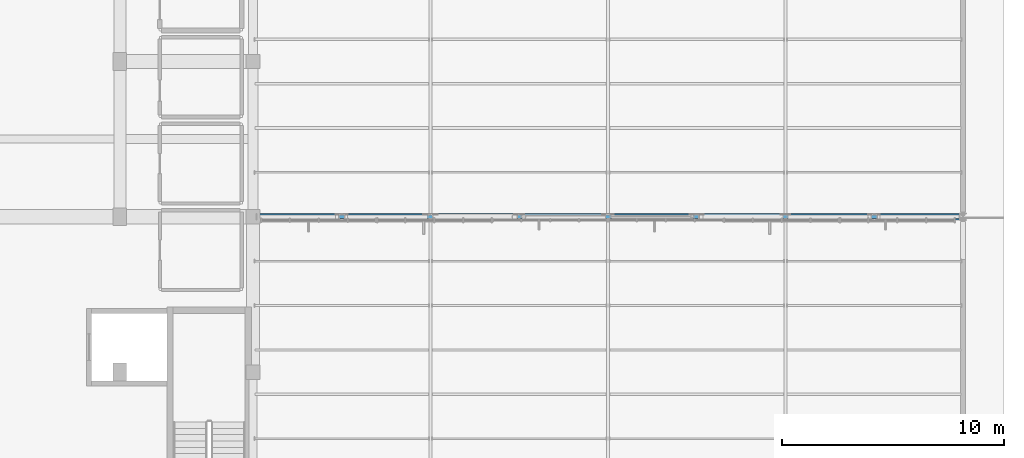
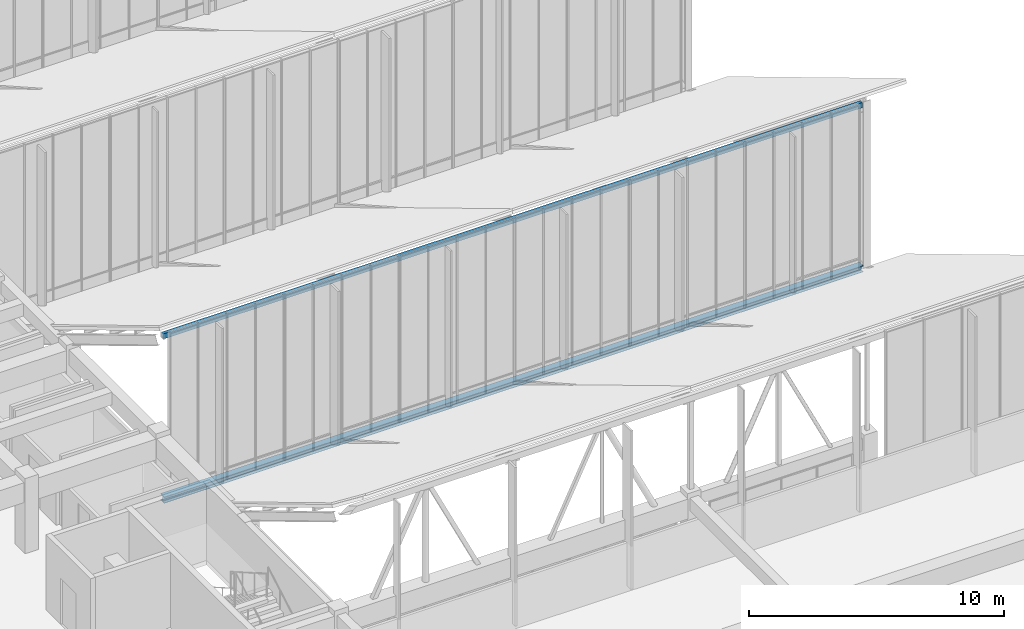
# One storey, part 42 of 155: 2 members.
"""IFC4 building model written with IfcOpenShell, lengths in metres."""

from ifc_helpers import new_model, si_unit, direction, frame, origin, origin_2d, place, context, subcontext, project, spatial, hollow_rectangle, i_section, extrude, material, material_profile, profile_set, type_object, element, save


model = new_model("IFC4")

# Units and contexts
model_context = context("Model", 3, precision=1e-05, world=origin(), true_north=direction((0.0, 1.0)))
body_context = subcontext(model_context, "Body", "Model", "MODEL_VIEW")
ifc_project = project(units=[si_unit("LENGTHUNIT", "METRE"), si_unit("AREAUNIT", "SQUARE_METRE"), si_unit("VOLUMEUNIT", "CUBIC_METRE"), si_unit("PLANEANGLEUNIT", "RADIAN"), si_unit("MASSUNIT", "GRAM", prefix="KILO")], contexts=[model_context])

# Site, building, storey
site_placement = place(None, origin())
site = spatial("IfcSite", under=ifc_project, at=site_placement, CompositionType="ELEMENT")
building_placement = place(site_placement, origin())
building = spatial("IfcBuilding", under=site, at=building_placement, Name="Larkveld Mobility Hub", CompositionType="ELEMENT")
storey_placement = place(building_placement, frame((0.0, 0.0, 8.39990234375)))
storey = spatial("IfcBuildingStorey", under=building, at=storey_placement, Name="L02", CompositionType="ELEMENT", Elevation=8.39990234375)

# Members
ifc_material = material(Name="Steel S355JR", Category="steel")
ifc_material_profile_1 = material_profile(ifc_material, i_section(OverallWidth=0.300048828125, OverallDepth=0.300048828125, WebThickness=0.010986328125, FlangeThickness=0.01904296875, FilletRadius=0.027099609375, at=origin_2d()), Name="HEB 300")
ifc_profile_set_1 = profile_set([ifc_material_profile_1], Name="Steel S355JR")
member_type_1 = type_object("IfcMemberType", Name="MB-CH-HEB300", PredefinedType="CHORD", material=ifc_profile_set_1)
member_1_placement = place(storey_placement, frame((152.159912109375, 42.0, 0.150146484375), z_axis=(1.0, 0.0, 0.0), x_axis=(0.0, 1.0, 0.0)))
element("IfcMember", 1, at=member_1_placement, inside=storey, type_object=member_type_1, Name="ROOF TRUSS T2 Bottom Chord", PredefinedType="CHORD", context=body_context, shape_type="SweptSolid", body=[
    extrude(i_section(OverallWidth=0.300048828125, OverallDepth=0.300048828125, WebThickness=0.010986328125, FlangeThickness=0.01904296875, FilletRadius=0.027099609375, at=origin_2d()), origin(), (0.0, 0.0, 1.0), 31.68017578125),
])
ifc_material_profile_2 = material_profile(ifc_material, hollow_rectangle(XDim=0.14990234375, YDim=0.25, WallThickness=0.010009765625, at=origin_2d()), Name="RHS 250x150x10")
ifc_profile_set_2 = profile_set([ifc_material_profile_2], Name="Steel S355JR")
member_type_2 = type_object("IfcMemberType", Name="MB-CH-RHS250", PredefinedType="CHORD", material=ifc_profile_set_2)
member_2_placement = place(storey_placement, frame((152.159912109375, 42.0, 7.9501953125), z_axis=(1.0, 0.0, 0.0), x_axis=(0.0, 1.0, 0.0)))
element("IfcMember", 2, at=member_2_placement, inside=storey, type_object=member_type_2, Name="ROOF TRUSS T2 Top Chord", PredefinedType="CHORD", context=body_context, shape_type="SweptSolid", body=[
    extrude(hollow_rectangle(XDim=0.14990234375, YDim=0.25, WallThickness=0.010009765625, at=origin_2d()), origin(), (0.0, 0.0, 1.0), 31.68017578125),
])

save(model, "model.ifc")
